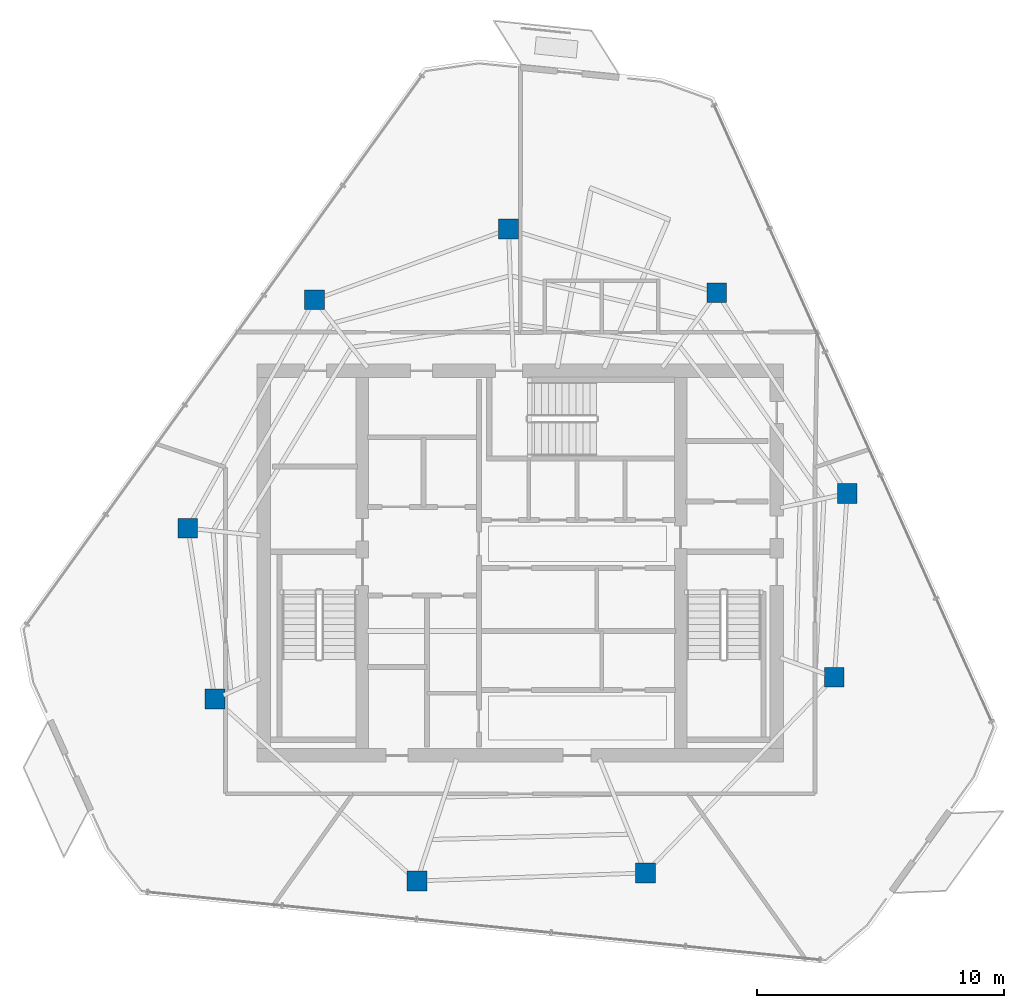
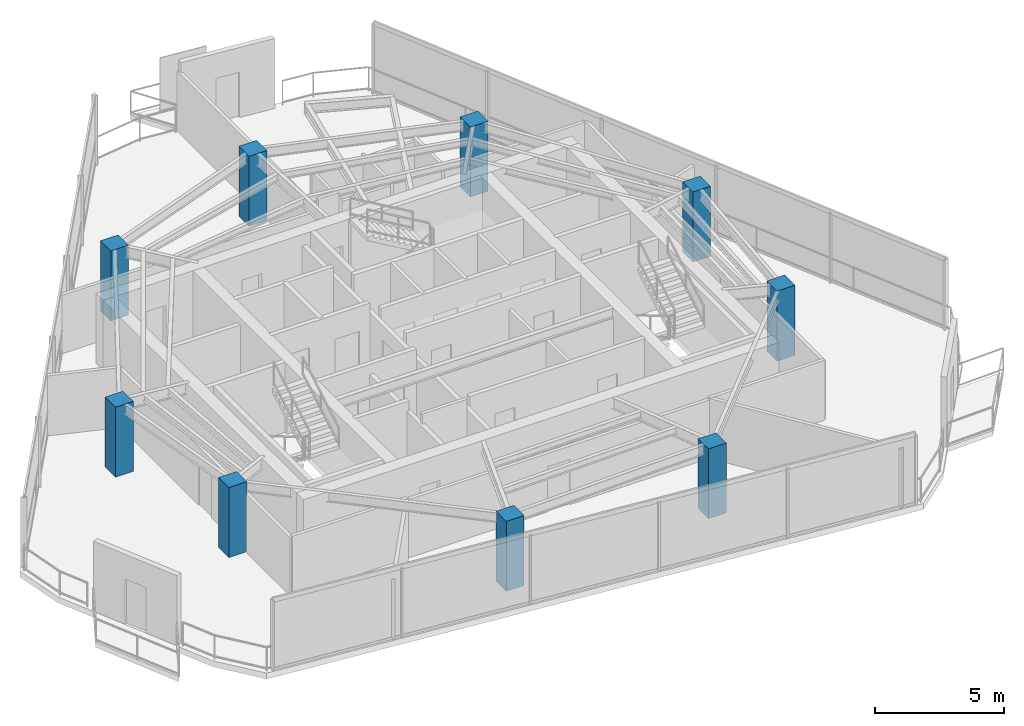
# One storey, part 1 of 18: 9 columns.
"""IFC4 building model written with IfcOpenShell, lengths in metres."""

from ifc_helpers import new_model, si_unit, direction, frame, origin, origin_2d, place, context, subcontext, project, spatial, rectangle, extrude, material, material_profile, profile_set, type_object, element, save


model = new_model("IFC4")

# Units and contexts
model_context = context("Model", 3, precision=1e-05, world=origin(), true_north=direction((0.0, 1.0)))
body_context = subcontext(model_context, "Body", "Model", "MODEL_VIEW")
ifc_project = project(units=[si_unit("LENGTHUNIT", "METRE"), si_unit("AREAUNIT", "SQUARE_METRE"), si_unit("VOLUMEUNIT", "CUBIC_METRE"), si_unit("PLANEANGLEUNIT", "RADIAN"), si_unit("MASSUNIT", "GRAM", prefix="KILO")], contexts=[model_context])

# Site, building, storey
site_placement = place(None, origin())
site = spatial("IfcSite", under=ifc_project, at=site_placement, CompositionType="ELEMENT")
building_placement = place(site_placement, origin())
building = spatial("IfcBuilding", under=site, at=building_placement, Name="Qarnah Convention Tower", CompositionType="ELEMENT")
storey_placement = place(building_placement, frame((0.0, 0.0, 271.5)))
storey = spatial("IfcBuildingStorey", under=building, at=storey_placement, Name="L73", CompositionType="ELEMENT", Elevation=271.5)

# Columns
ifc_material = material(Name="Concrete C50/60", Category="concrete")
ifc_material_profile = material_profile(ifc_material, rectangle(XDim=0.800048828125, YDim=0.800048828125, at=origin_2d()), Name="RC-COL-800X800")
ifc_profile_set = profile_set([ifc_material_profile], Name="Concrete C50/60")
column_type = type_object("IfcColumnType", Name="COL-Z5-800", PredefinedType="COLUMN", material=ifc_profile_set)
for number, where, z_axis, x_axis, name in (
    (1, (50.4541015625, 29.217041015625, 0.0), (0.0, 0.0, 1.0), (1.0, 0.0, 0.0), "L73 plumb column PC-Z5-01"),
    (2, (45.1640625, 37.362060546875, 0.0), (0.0, 0.0, 1.0), (1.0, 0.0, 0.0), "L73 plumb column PC-Z5-02"),
    (3, (36.72705078125, 39.94189453125, 0.0), (0.0, 0.0, 1.0), (1.0, 0.0, 0.0), "L73 plumb column PC-Z5-03"),
    (4, (28.85791015625, 37.077880859375, 0.0), (0.0, 0.0, 1.0), (1.0, 0.0, 0.0), "L73 plumb column PC-Z5-04"),
    (5, (23.72412109375, 27.81591796875, 0.0), (0.0, 0.0, 1.0), (1.0, 0.0, 0.0), "L73 plumb column PC-Z5-05"),
    (6, (24.821044921875, 20.888916015625, 0.0), (0.0, 0.0, 1.0), (1.0, 0.0, 0.0), "L73 plumb column PC-Z5-06"),
    (7, (33.012939453125, 13.512939453125, 0.0), (0.0, 0.0, 1.0), (1.0, 0.0, 0.0), "L73 plumb column PC-Z5-07"),
    (8, (42.27587890625, 13.8369140625, 0.0), (0.0, 0.0, 1.0), (1.0, 0.0, 0.0), "L73 plumb column PC-Z5-08"),
    (9, (49.93310546875, 21.76611328125, 0.0), (0.0, 0.0, 1.0), (1.0, 0.0, 0.0), "L73 plumb column PC-Z5-09"),
):
    element("IfcColumn", number, at=place(storey_placement, frame(where, z_axis=z_axis, x_axis=x_axis)), inside=storey, type_object=column_type, Name=name, PredefinedType="COLUMN", context=body_context, shape_type="SweptSolid", body=[
        extrude(rectangle(XDim=0.800048828125, YDim=0.800048828125, at=origin_2d()), origin(), (0.0, 0.0, 1.0), 3.320068359375),
    ])

save(model, "model.ifc")
